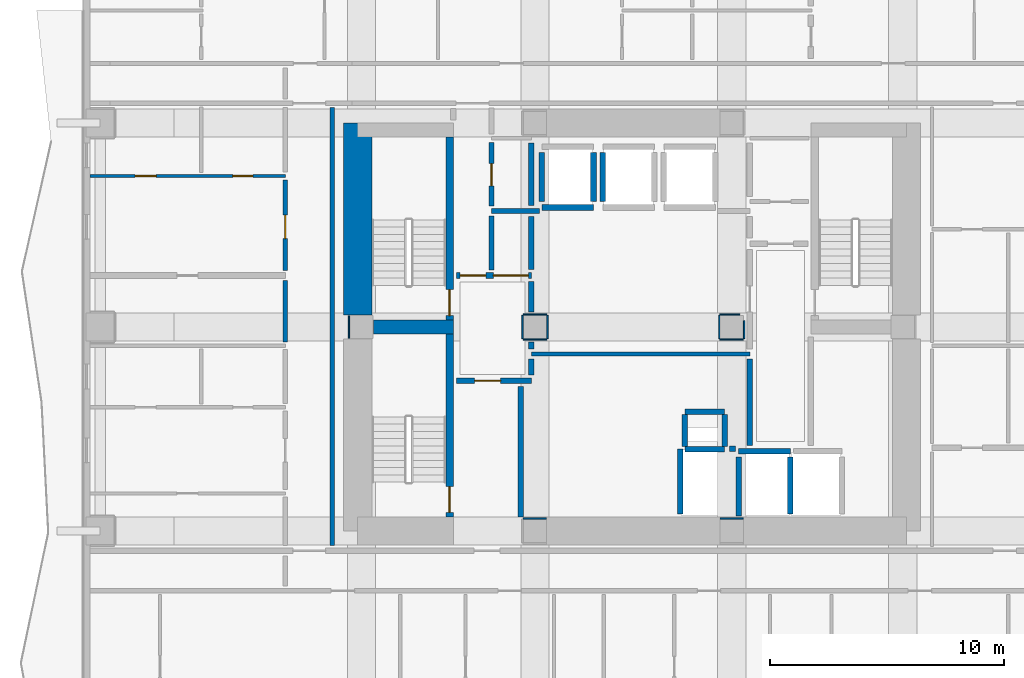
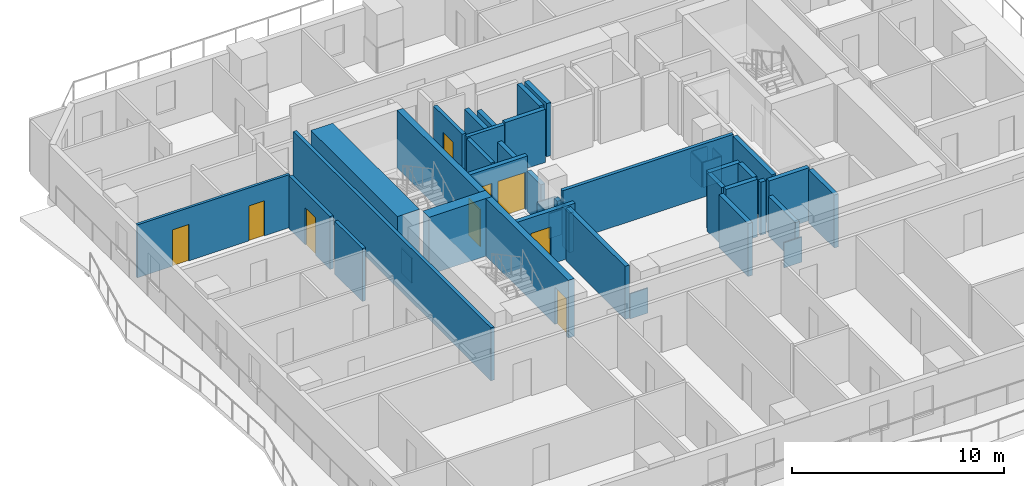
# One storey, part 5 of 13: 45 walls, 9 doors, 9 openings.
"""IFC4 building model written with IfcOpenShell, lengths in metres."""

from ifc_helpers import new_model, si_unit, direction, frame, frame_2d, origin, place, context, subcontext, project, spatial, rectangle, extrude, material, layer, layer_set, type_object, element, fill, save


model = new_model("IFC4")

# Units and contexts
model_context = context("Model", 3, precision=1e-05, world=origin(), true_north=direction((0.0, 1.0)))
body_context = subcontext(model_context, "Body", "Model", "MODEL_VIEW")
ifc_project = project(units=[si_unit("LENGTHUNIT", "METRE"), si_unit("AREAUNIT", "SQUARE_METRE"), si_unit("VOLUMEUNIT", "CUBIC_METRE"), si_unit("PLANEANGLEUNIT", "RADIAN"), si_unit("MASSUNIT", "GRAM", prefix="KILO")], contexts=[model_context])

# Site, building, storey
site_placement = place(None, origin())
site = spatial("IfcSite", under=ifc_project, at=site_placement, CompositionType="ELEMENT")
building_placement = place(site_placement, origin())
building = spatial("IfcBuilding", under=site, at=building_placement, Name="Solanera Arch Residences", CompositionType="ELEMENT")
storey_placement = place(building_placement, frame((0.0, 0.0, 22.0)))
storey = spatial("IfcBuildingStorey", under=building, at=storey_placement, Name="L05", CompositionType="ELEMENT", Elevation=22.0)

# Walls
ifc_material_1 = material(Name="Fire-Rated Gypsum Stud Partition", Category="gypsum")
ifc_layer_1 = layer(ifc_material_1, 0.06005859375)
ifc_layer_set_1 = layer_set([ifc_layer_1], Name="Fire-Rated Gypsum Stud Partition")
wall_type_1 = type_object("IfcWallType", Name="Column Acoustic Furring Wall 60", PredefinedType="PARTITIONING", material=ifc_layer_set_1)
wall_1_placement = place(storey_placement, frame((20.300048828125, 22.531982421875, 0.0), z_axis=(0.0, 0.0, 1.0), x_axis=(1.0, 0.0, 0.0)))
element("IfcWall", 1, at=wall_1_placement, inside=storey, type_object=wall_type_1, Name="L05 Column Furring 1N", PredefinedType="PARTITIONING", context=body_context, shape_type="SweptSolid", body=[
    extrude(rectangle(XDim=0.989990234375, YDim=0.06005859375, at=frame_2d((0.4951171875, 0.0))), origin(), (0.0, 0.0, 1.0), 1.449951171875),
])
for number, where, z_axis, x_axis, name in (
    (2, (28.7099609375, 22.531982421875, 0.0), (0.0, 0.0, 1.0), (1.0, 0.0, 0.0), "L05 Column Furring 2N"),
    (3, (12.867919921875, 30.2099609375, 0.0), (0.0, 0.0, 1.0), (0.0, 1.0, 0.0), "L05 Column Furring 5W"),
):
    element("IfcWall", number, at=place(storey_placement, frame(where, z_axis=z_axis, x_axis=x_axis)), inside=storey, type_object=wall_type_1, Name=name, PredefinedType="PARTITIONING", context=body_context, shape_type="SweptSolid", body=[
        extrude(rectangle(XDim=0.97998046875, YDim=0.06005859375, at=frame_2d((0.489990234375, 0.0))), origin(), (0.0, 0.0, 1.0), 1.449951171875),
    ])
for number, where, z_axis, x_axis, name in (
    (4, (20.300048828125, 30.16796875, 0.0), (0.0, 0.0, 1.0), (1.0, 0.0, 0.0), "L05 Column Furring 7S"),
    (5, (20.300048828125, 31.23193359375, 0.0), (0.0, 0.0, 1.0), (1.0, 0.0, 0.0), "L05 Column Furring 7N"),
    (6, (20.26806640625, 30.199951171875, 0.0), (0.0, 0.0, 1.0), (0.0, 1.0, 0.0), "L05 Column Furring 7W"),
    (7, (21.33203125, 30.199951171875, 0.0), (0.0, 0.0, 1.0), (0.0, 1.0, 0.0), "L05 Column Furring 7E"),
    (8, (28.699951171875, 30.16796875, 0.0), (0.0, 0.0, 1.0), (1.0, 0.0, 0.0), "L05 Column Furring 8S"),
):
    element("IfcWall", number, at=place(storey_placement, frame(where, z_axis=z_axis, x_axis=x_axis)), inside=storey, type_object=wall_type_1, Name=name, PredefinedType="PARTITIONING", context=body_context, shape_type="SweptSolid", body=[
        extrude(rectangle(XDim=1.0, YDim=0.06005859375, at=frame_2d((0.5, 0.0))), origin(), (0.0, 0.0, 1.0), 1.449951171875),
    ])
wall_2_placement = place(storey_placement, frame((28.699951171875, 31.23193359375, 0.0), z_axis=(0.0, 0.0, 1.0), x_axis=(1.0, 0.0, 0.0)))
element("IfcWall", 9, at=wall_2_placement, inside=storey, type_object=wall_type_1, Name="L05 Column Furring 8N", PredefinedType="PARTITIONING", context=body_context, shape_type="SweptSolid", body=[
    extrude(rectangle(XDim=0.841064453125, YDim=0.06005859375, at=frame_2d((0.42041015625, 0.0))), origin(), (0.0, 0.0, 1.0), 1.449951171875),
])
wall_3_placement = place(storey_placement, frame((28.66796875, 30.199951171875, 0.0), z_axis=(0.0, 0.0, 1.0), x_axis=(0.0, 1.0, 0.0)))
element("IfcWall", 10, at=wall_3_placement, inside=storey, type_object=wall_type_1, Name="L05 Column Furring 8W", PredefinedType="PARTITIONING", context=body_context, shape_type="SweptSolid", body=[
    extrude(rectangle(XDim=1.0, YDim=0.06005859375, at=frame_2d((0.5, 0.0))), origin(), (0.0, 0.0, 1.0), 1.449951171875),
])
wall_4_placement = place(storey_placement, frame((29.73193359375, 30.199951171875, 0.0), z_axis=(0.0, 0.0, 1.0), x_axis=(0.0, 1.0, 0.0)))
element("IfcWall", 11, at=wall_4_placement, inside=storey, type_object=wall_type_1, Name="L05 Column Furring 8E", PredefinedType="PARTITIONING", context=body_context, shape_type="SweptSolid", body=[
    extrude(rectangle(XDim=0.77197265625, YDim=0.06005859375, at=frame_2d((0.385986328125, 0.0))), origin(), (0.0, 0.0, 1.0), 1.449951171875),
])
ifc_material_2 = material(Name="Concrete C55/67 (f'c = 60 MPa)", Category="concrete")
ifc_layer_2 = layer(ifc_material_2, 1.199951171875)
ifc_layer_set_2 = layer_set([ifc_layer_2], Name="Concrete C55/67 (f'c = 60 MPa)")
wall_type_2 = type_object("IfcWallType", Name="Core Shear Wall CW-1200", PredefinedType="SHEAR", material=ifc_layer_set_2)
wall_5_placement = place(storey_placement, frame((13.239990234375, 31.205078125, 0.0), z_axis=(0.0, 0.0, 1.0), x_axis=(0.0, 1.0, 0.0)))
element("IfcWall", 12, at=wall_5_placement, inside=storey, type_object=wall_type_2, Name="L05 West Core North Shear Wall", PredefinedType="SHEAR", context=body_context, shape_type="SweptSolid", body=[
    extrude(rectangle(XDim=8.19482421875, YDim=1.199951171875, at=frame_2d((4.097412109375, 0.0))), origin(), (0.0, 0.0, 1.0), 3.320068359375),
])

# Wall, opening, door
ifc_material_3 = material(Name="Concrete C40/50 (f'c = 45 MPa)", Category="concrete")
ifc_layer_3 = layer(ifc_material_3, 0.320068359375)
ifc_layer_set_3 = layer_set([ifc_layer_3], Name="Concrete C40/50 (f'c = 45 MPa)")
wall_type_3 = type_object("IfcWallType", Name="Core Shear Wall CW-320", PredefinedType="SHEAR", material=ifc_layer_set_3)
wall_6_placement = place(storey_placement, frame((17.159912109375, 31.0, 0.0), z_axis=(0.0, 0.0, 1.0), x_axis=(0.0, 1.0, 0.0)))
wall_6 = element("IfcWall", 13, at=wall_6_placement, inside=storey, type_object=wall_type_3, Name="L05 Stair ST-T1 East Shear Wall", PredefinedType="SHEAR", context=body_context, shape_type="SweptSolid", body=[
    extrude(rectangle(XDim=7.800048828125, YDim=0.320068359375, at=frame_2d((3.89990234375, 0.0))), origin(), (0.0, 0.0, 1.0), 3.320068359375),
])
opening_1_placement = place(wall_6_placement, frame((0.18994140625, 0.0, 0.0)))
opening_1 = element("IfcOpeningElement", 14, at=opening_1_placement, cuts=wall_6, Name="Opening DF-01", PredefinedType="OPENING", context=body_context, shape_type="SweptSolid", body=[
    extrude(rectangle(XDim=1.10009765625, YDim=2.14990234375, at=frame_2d((0.550048828125, 1.074951171875))), frame((0.0, 0.169921875, 0.0), z_axis=(0.0, -1.0, 0.0), x_axis=(1.0, 0.0, 0.0)), (0.0, 0.0, 1.0), 0.3401),
])
ifc_material_4 = material(Name="Fire-Rated Architectural Hardwood", Category="wood")
door_type_1 = type_object("IfcDoorType", Name="Stair Exit Fire Door DF-01", OperationType="NOTDEFINED", PredefinedType="DOOR", material=ifc_material_4)
door_1_placement = place(opening_1_placement, origin())
door_1 = element("IfcDoor", 15, at=door_1_placement, inside=storey, type_object=door_type_1, Name="DR-L05-STAIR-ST-T1", OperationType="SINGLE_SWING_RIGHT", OverallHeight=2.14990234375, OverallWidth=1.10009765625, PredefinedType="DOOR", context=body_context, shape_type="SweptSolid", body=[
    extrude(rectangle(XDim=1.10009765625, YDim=2.14990234375, at=frame_2d((0.550048828125, 1.074951171875))), frame((0.0, 0.02490234375, 0.0), z_axis=(0.0, -1.0, 0.0), x_axis=(1.0, 0.0, 0.0)), (0.0, 0.0, 1.0), 0.050048828125),
])
fill(opening_1, door_1)

wall_7_placement = place(storey_placement, frame((17.159912109375, 22.60009765625, 0.0), z_axis=(0.0, 0.0, 1.0), x_axis=(0.0, 1.0, 0.0)))
wall_7 = element("IfcWall", 16, at=wall_7_placement, inside=storey, type_object=wall_type_3, Name="L05 Stair ST-T3 East Shear Wall", PredefinedType="SHEAR", context=body_context, shape_type="SweptSolid", body=[
    extrude(rectangle(XDim=7.7998046875, YDim=0.320068359375, at=frame_2d((3.89990234375, 0.0))), origin(), (0.0, 0.0, 1.0), 3.320068359375),
])
opening_2_placement = place(wall_7_placement, frame((0.18994140625, 0.0, 0.0)))
opening_2 = element("IfcOpeningElement", 17, at=opening_2_placement, cuts=wall_7, Name="Opening DF-01", PredefinedType="OPENING", context=body_context, shape_type="SweptSolid", body=[
    extrude(rectangle(XDim=1.10009765625, YDim=2.14990234375, at=frame_2d((0.550048828125, 1.074951171875))), frame((0.0, 0.169921875, 0.0), z_axis=(0.0, -1.0, 0.0), x_axis=(1.0, 0.0, 0.0)), (0.0, 0.0, 1.0), 0.3401),
])
door_2_placement = place(opening_2_placement, origin())
door_2 = element("IfcDoor", 18, at=door_2_placement, inside=storey, type_object=door_type_1, Name="DR-L05-STAIR-ST-T3", OperationType="SINGLE_SWING_RIGHT", OverallHeight=2.14990234375, OverallWidth=1.10009765625, PredefinedType="DOOR", context=body_context, shape_type="SweptSolid", body=[
    extrude(rectangle(XDim=1.10009765625, YDim=2.14990234375, at=frame_2d((0.550048828125, 1.074951171875))), frame((0.0, 0.02490234375, 0.0), z_axis=(0.0, -1.0, 0.0), x_axis=(1.0, 0.0, 0.0)), (0.0, 0.0, 1.0), 0.050048828125),
])
fill(opening_2, door_2)

# Walls
ifc_material_5 = material(Name="Concrete C40/50 (f'c = 45 MPa)", Category="concrete")
ifc_layer_4 = layer(ifc_material_5, 0.60009765625)
ifc_layer_set_4 = layer_set([ifc_layer_4], Name="Concrete C40/50 (f'c = 45 MPa)")
wall_type_4 = type_object("IfcWallType", Name="Core Shear Wall CW-600", PredefinedType="SHEAR", material=ifc_layer_set_4)
wall_8_placement = place(storey_placement, frame((13.905029296875, 30.699951171875, 0.0), z_axis=(0.0, 0.0, 1.0), x_axis=(1.0, 0.0, 0.0)))
element("IfcWall", 19, at=wall_8_placement, inside=storey, type_object=wall_type_4, Name="L05 West Stair Divider Shear Wall", PredefinedType="SHEAR", context=body_context, shape_type="SweptSolid", body=[
    extrude(rectangle(XDim=3.4150390625, YDim=0.60009765625, at=frame_2d((1.70751953125, 0.0))), origin(), (0.0, 0.0, 1.0), 3.320068359375),
])
ifc_material_6 = material(Name="Autoclaved Aerated Concrete Blockwork", Category="masonry")
ifc_layer_5 = layer(ifc_material_6, 0.179931640625)
ifc_layer_set_5 = layer_set([ifc_layer_5], Name="Autoclaved Aerated Concrete Blockwork")
wall_type_5 = type_object("IfcWallType", Name="Corridor Fire Partition 180", PredefinedType="PARTITIONING", material=ifc_layer_set_5)
wall_9_placement = place(storey_placement, frame((20.64990234375, 29.550048828125, 0.0), z_axis=(0.0, 0.0, 1.0), x_axis=(1.0, 0.0, 0.0)))
element("IfcWall", 20, at=wall_9_placement, inside=storey, type_object=wall_type_5, Name="L05 Interior Partition H10", PredefinedType="PARTITIONING", context=body_context, shape_type="SweptSolid", body=[
    extrude(rectangle(XDim=9.3251953125, YDim=0.179931640625, at=frame_2d((4.66259765625, 0.0))), origin(), (0.0, 0.0, 1.0), 3.06005859375),
])
wall_10_placement = place(storey_placement, frame((10.14990234375, 30.068115234375, 0.0), z_axis=(0.0, 0.0, 1.0), x_axis=(0.0, 1.0, 0.0)))
element("IfcWall", 21, at=wall_10_placement, inside=storey, type_object=wall_type_5, Name="L05 Interior Partition V8 5", PredefinedType="PARTITIONING", context=body_context, shape_type="SweptSolid", body=[
    extrude(rectangle(XDim=2.61376953125, YDim=0.179931640625, at=frame_2d((1.306884765625, 0.0))), origin(), (0.0, 0.0, 1.0), 3.06005859375),
])

# Wall, opening, door
wall_11_placement = place(storey_placement, frame((10.14990234375, 33.117919921875, 0.0), z_axis=(0.0, 0.0, 1.0), x_axis=(0.0, 1.0, 0.0)))
wall_11 = element("IfcWall", 22, at=wall_11_placement, inside=storey, type_object=wall_type_5, Name="L05 Interior Partition V8 6", PredefinedType="PARTITIONING", context=body_context, shape_type="SweptSolid", body=[
    extrude(rectangle(XDim=3.859130859375, YDim=0.179931640625, at=frame_2d((1.9296875, 0.0))), origin(), (0.0, 0.0, 1.0), 3.06005859375),
])
opening_3_placement = place(wall_11_placement, frame((1.35302734375, 0.0, 0.0)))
opening_3 = element("IfcOpeningElement", 23, at=opening_3_placement, cuts=wall_11, Name="Opening DI-01", PredefinedType="OPENING", context=body_context, shape_type="SweptSolid", body=[
    extrude(rectangle(XDim=1.0, YDim=2.14990234375, at=frame_2d((0.5, 1.074951171875))), frame((0.0, 0.10009765625, 0.0), z_axis=(0.0, -1.0, 0.0), x_axis=(1.0, 0.0, 0.0)), (0.0, 0.0, 1.0), 0.1999),
])
ifc_material_7 = material(Name="Fire-Rated Architectural Hardwood", Category="wood")
door_type_2 = type_object("IfcDoorType", Name="Unit Entrance Fire Door DI-01", OperationType="NOTDEFINED", PredefinedType="DOOR", material=ifc_material_7)
door_3_placement = place(opening_3_placement, origin())
door_3 = element("IfcDoor", 24, at=door_3_placement, inside=storey, type_object=door_type_2, Name="DR-L05-IN-046", OperationType="SINGLE_SWING_LEFT", OverallHeight=2.14990234375, OverallWidth=1.0, PredefinedType="DOOR", context=body_context, shape_type="SweptSolid", body=[
    extrude(rectangle(XDim=1.0, YDim=2.14990234375, at=frame_2d((0.5, 1.074951171875))), frame((0.0, 0.02490234375, 0.0), z_axis=(0.0, -1.0, 0.0), x_axis=(1.0, 0.0, 0.0)), (0.0, 0.0, 1.0), 0.050048828125),
])
fill(opening_3, door_3)

# Walls
wall_12_placement = place(storey_placement, frame((12.14990234375, 21.367919921875, 0.0), z_axis=(0.0, 0.0, 1.0), x_axis=(0.0, 1.0, 0.0)))
element("IfcWall", 25, at=wall_12_placement, inside=storey, type_object=wall_type_5, Name="L05 Interior Partition V9", PredefinedType="PARTITIONING", context=body_context, shape_type="SweptSolid", body=[
    extrude(rectangle(XDim=18.694091796875, YDim=0.179931640625, at=frame_2d((9.34716796875, 0.0))), origin(), (0.0, 0.0, 1.0), 3.06005859375),
])
ifc_material_8 = material(Name="Autoclaved Aerated Concrete Blockwork", Category="masonry")
ifc_layer_6 = layer(ifc_material_8, 0.199951171875)
ifc_layer_set_6 = layer_set([ifc_layer_6], Name="Autoclaved Aerated Concrete Blockwork")
wall_type_6 = type_object("IfcWallType", Name="Party Wall Acoustic 200", PredefinedType="PARTITIONING", material=ifc_layer_set_6)
wall_13_placement = place(storey_placement, frame((18.949951171875, 35.64990234375, 0.0), z_axis=(0.0, 0.0, 1.0), x_axis=(1.0, 0.0, 0.0)))
element("IfcWall", 26, at=wall_13_placement, inside=storey, type_object=wall_type_6, Name="L05 Interior Partition H8 1", PredefinedType="PARTITIONING", context=body_context, shape_type="SweptSolid", body=[
    extrude(rectangle(XDim=2.046142578125, YDim=0.199951171875, at=frame_2d((1.02294921875, 0.0))), origin(), (0.0, 0.0, 1.0), 3.06005859375),
])
wall_14_placement = place(storey_placement, frame((18.949951171875, 33.1279296875, 0.0), z_axis=(0.0, 0.0, 1.0), x_axis=(0.0, 1.0, 0.0)))
element("IfcWall", 27, at=wall_14_placement, inside=storey, type_object=wall_type_6, Name="L05 Interior Partition V7 1", PredefinedType="PARTITIONING", context=body_context, shape_type="SweptSolid", body=[
    extrude(rectangle(XDim=2.31396484375, YDim=0.199951171875, at=frame_2d((1.156982421875, 0.0))), origin(), (0.0, 0.0, 1.0), 3.06005859375),
])

# Wall, opening, door
wall_15_placement = place(storey_placement, frame((18.949951171875, 35.85791015625, 0.0), z_axis=(0.0, 0.0, 1.0), x_axis=(0.0, 1.0, 0.0)))
wall_15 = element("IfcWall", 28, at=wall_15_placement, inside=storey, type_object=wall_type_6, Name="L05 Interior Partition V7 2", PredefinedType="PARTITIONING", context=body_context, shape_type="SweptSolid", body=[
    extrude(rectangle(XDim=2.714111328125, YDim=0.199951171875, at=frame_2d((1.35693359375, 0.0))), origin(), (0.0, 0.0, 1.0), 3.06005859375),
])
opening_4_placement = place(wall_15_placement, frame((0.866943359375, 0.0, 0.0)))
opening_4 = element("IfcOpeningElement", 29, at=opening_4_placement, cuts=wall_15, Name="Opening DI-04", PredefinedType="OPENING", context=body_context, shape_type="SweptSolid", body=[
    extrude(rectangle(XDim=0.949951171875, YDim=2.10009765625, at=frame_2d((0.47509765625, 1.050048828125))), frame((0.0, 0.110107421875, 0.0), z_axis=(0.0, -1.0, 0.0), x_axis=(1.0, 0.0, 0.0)), (0.0, 0.0, 1.0), 0.22),
])
ifc_material_9 = material(Name="Fire-Rated Architectural Hardwood", Category="wood")
door_type_3 = type_object("IfcDoorType", Name="Accessible Restroom Door DI-04", OperationType="NOTDEFINED", PredefinedType="DOOR", material=ifc_material_9)
door_4_placement = place(opening_4_placement, origin())
door_4 = element("IfcDoor", 30, at=door_4_placement, inside=storey, type_object=door_type_3, Name="DR-L05-IN-014", OperationType="SINGLE_SWING_LEFT", OverallHeight=2.10009765625, OverallWidth=0.949951171875, PredefinedType="DOOR", context=body_context, shape_type="SweptSolid", body=[
    extrude(rectangle(XDim=0.949951171875, YDim=2.10009765625, at=frame_2d((0.47509765625, 1.050048828125))), frame((0.0, 0.02490234375, 0.0), z_axis=(0.0, -1.0, 0.0), x_axis=(1.0, 0.0, 0.0)), (0.0, 0.0, 1.0), 0.050048828125),
])
fill(opening_4, door_4)

# Walls
ifc_material_10 = material(Name="Concrete C40/50 (f'c = 45 MPa)", Category="concrete")
ifc_layer_7 = layer(ifc_material_10, 0.239990234375)
ifc_layer_set_7 = layer_set([ifc_layer_7], Name="Concrete C40/50 (f'c = 45 MPa)")
wall_type_7 = type_object("IfcWallType", Name="Ramp Bearing Shear Wall RW-240", PredefinedType="SHEAR", material=ifc_layer_set_7)
for number, where, z_axis, x_axis, name in (
    (31, (27.199951171875, 25.47998046875, 0.0), (0.0, 0.0, 1.0), (1.0, 0.0, 0.0), "L05 Core MEP Riser South Shaft Wall"),
    (32, (27.199951171875, 27.080078125, 0.0), (0.0, 0.0, 1.0), (1.0, 0.0, 0.0), "L05 Core MEP Riser North Shaft Wall"),
):
    element("IfcWall", number, at=place(storey_placement, frame(where, z_axis=z_axis, x_axis=x_axis)), inside=storey, type_object=wall_type_7, Name=name, PredefinedType="SHEAR", context=body_context, shape_type="SweptSolid", body=[
        extrude(rectangle(XDim=1.699951171875, YDim=0.239990234375, at=frame_2d((0.85009765625, 0.0))), origin(), (0.0, 0.0, 1.0), 3.320068359375),
    ])
for number, where, z_axis, x_axis, name in (
    (33, (27.199951171875, 25.60009765625, 0.0), (0.0, 0.0, 1.0), (0.0, 1.0, 0.0), "L05 Core MEP Riser West Shaft Wall"),
    (34, (28.89990234375, 25.60009765625, 0.0), (0.0, 0.0, 1.0), (0.0, 1.0, 0.0), "L05 Core MEP Riser East Shaft Wall"),
):
    element("IfcWall", number, at=place(storey_placement, frame(where, z_axis=z_axis, x_axis=x_axis)), inside=storey, type_object=wall_type_7, Name=name, PredefinedType="SHEAR", context=body_context, shape_type="SweptSolid", body=[
        extrude(rectangle(XDim=1.35986328125, YDim=0.239990234375, at=frame_2d((0.679931640625, 0.0))), origin(), (0.0, 0.0, 1.0), 3.320068359375),
    ])
ifc_material_11 = material(Name="Autoclaved Aerated Concrete Blockwork", Category="masonry")
ifc_layer_8 = layer(ifc_material_11, 0.239990234375)
ifc_layer_set_8 = layer_set([ifc_layer_8], Name="Autoclaved Aerated Concrete Blockwork")
wall_type_8 = type_object("IfcWallType", Name="Shaft Wall Fire-Rated 240", PredefinedType="PARTITIONING", material=ifc_layer_set_8)
wall_16_placement = place(storey_placement, frame((21.10009765625, 35.800048828125, 0.0), z_axis=(0.0, 0.0, 1.0), x_axis=(1.0, 0.0, 0.0)))
element("IfcWall", 35, at=wall_16_placement, inside=storey, type_object=wall_type_8, Name="L05 Lift PL-L1 Hoistway Wall S", PredefinedType="PARTITIONING", context=body_context, shape_type="SweptSolid", body=[
    extrude(rectangle(XDim=2.199951171875, YDim=0.239990234375, at=frame_2d((1.10009765625, 0.0))), origin(), (0.0, 0.0, 1.0), 3.06005859375),
])
wall_17_placement = place(storey_placement, frame((21.10009765625, 36.048095703125, 0.0), z_axis=(0.0, 0.0, 1.0), x_axis=(0.0, 1.0, 0.0)))
element("IfcWall", 36, at=wall_17_placement, inside=storey, type_object=wall_type_8, Name="L05 Lift PL-L1 Hoistway Wall W", PredefinedType="PARTITIONING", context=body_context, shape_type="SweptSolid", body=[
    extrude(rectangle(XDim=2.10400390625, YDim=0.239990234375, at=frame_2d((1.052001953125, 0.0))), origin(), (0.0, 0.0, 1.0), 2.294921875),
])
for number, where, z_axis, x_axis, name in (
    (37, (23.300048828125, 36.048095703125, 0.0), (0.0, 0.0, 1.0), (0.0, 1.0, 0.0), "L05 Lift PL-L1 Hoistway Wall E"),
    (38, (23.699951171875, 36.048095703125, 0.0), (0.0, 0.0, 1.0), (0.0, 1.0, 0.0), "L05 Lift PL-L2 Hoistway Wall W"),
):
    element("IfcWall", number, at=place(storey_placement, frame(where, z_axis=z_axis, x_axis=x_axis)), inside=storey, type_object=wall_type_8, Name=name, PredefinedType="PARTITIONING", context=body_context, shape_type="SweptSolid", body=[
        extrude(rectangle(XDim=2.10400390625, YDim=0.239990234375, at=frame_2d((1.052001953125, 0.0))), origin(), (0.0, 0.0, 1.0), 3.06005859375),
    ])
wall_18_placement = place(storey_placement, frame((29.5, 25.39990234375, 0.0), z_axis=(0.0, 0.0, 1.0), x_axis=(1.0, 0.0, 0.0)))
element("IfcWall", 39, at=wall_18_placement, inside=storey, type_object=wall_type_8, Name="L05 Lift FFL-1 Hoistway Wall N", PredefinedType="PARTITIONING", context=body_context, shape_type="SweptSolid", body=[
    extrude(rectangle(XDim=2.199951171875, YDim=0.239990234375, at=frame_2d((1.10009765625, 0.0))), origin(), (0.0, 0.0, 1.0), 3.06005859375),
])
wall_19_placement = place(storey_placement, frame((29.5, 22.632080078125, 0.0), z_axis=(0.0, 0.0, 1.0), x_axis=(0.0, 1.0, 0.0)))
element("IfcWall", 40, at=wall_19_placement, inside=storey, type_object=wall_type_8, Name="L05 Lift FFL-1 Hoistway Wall W", PredefinedType="PARTITIONING", context=body_context, shape_type="SweptSolid", body=[
    extrude(rectangle(XDim=2.52001953125, YDim=0.239990234375, at=frame_2d((1.260009765625, 0.0))), origin(), (0.0, 0.0, 1.0), 2.294921875),
])
wall_20_placement = place(storey_placement, frame((31.699951171875, 22.72998046875, 0.0), z_axis=(0.0, 0.0, 1.0), x_axis=(0.0, 1.0, 0.0)))
element("IfcWall", 41, at=wall_20_placement, inside=storey, type_object=wall_type_8, Name="L05 Lift FFL-1 Hoistway Wall E", PredefinedType="PARTITIONING", context=body_context, shape_type="SweptSolid", body=[
    extrude(rectangle(XDim=2.422119140625, YDim=0.239990234375, at=frame_2d((1.2109375, 0.0))), origin(), (0.0, 0.0, 1.0), 3.06005859375),
])
wall_21_placement = place(storey_placement, frame((29.10302734375, 25.5, 0.0), z_axis=(0.0, 0.0, 1.0), x_axis=(1.0, 0.0, 0.0)))
element("IfcWall", 42, at=wall_21_placement, inside=storey, type_object=wall_type_8, Name="L05 Lift SVL-1 Hoistway Wall N", PredefinedType="PARTITIONING", context=body_context, shape_type="SweptSolid", body=[
    extrude(rectangle(XDim=0.26904296875, YDim=0.239990234375, at=frame_2d((0.134521484375, 0.0))), origin(), (0.0, 0.0, 1.0), 3.06005859375),
])
wall_22_placement = place(storey_placement, frame((27.0, 22.72998046875, 0.0), z_axis=(0.0, 0.0, 1.0), x_axis=(0.0, 1.0, 0.0)))
element("IfcWall", 43, at=wall_22_placement, inside=storey, type_object=wall_type_8, Name="L05 Lift SVL-1 Hoistway Wall W", PredefinedType="PARTITIONING", context=body_context, shape_type="SweptSolid", body=[
    extrude(rectangle(XDim=2.76806640625, YDim=0.239990234375, at=frame_2d((1.384033203125, 0.0))), origin(), (0.0, 0.0, 1.0), 3.06005859375),
])

# Wall, opening, door
wall_23_placement = place(storey_placement, frame((17.449951171875, 28.39990234375, 0.0), z_axis=(0.0, 0.0, 1.0), x_axis=(1.0, 0.0, 0.0)))
wall_23 = element("IfcWall", 44, at=wall_23_placement, inside=storey, type_object=wall_type_8, Name="L05 Interior Partition H4", PredefinedType="PARTITIONING", context=body_context, shape_type="SweptSolid", body=[
    extrude(rectangle(XDim=3.199951171875, YDim=0.239990234375, at=frame_2d((1.60009765625, 0.0))), origin(), (0.0, 0.0, 1.0), 3.06005859375),
])
opening_5_placement = place(wall_23_placement, frame((0.783935546875, 0.0, 0.0)))
opening_5 = element("IfcOpeningElement", 45, at=opening_5_placement, cuts=wall_23, Name="Opening DF-02", PredefinedType="OPENING", context=body_context, shape_type="SweptSolid", body=[
    extrude(rectangle(XDim=1.10009765625, YDim=2.14990234375, at=frame_2d((0.550048828125, 1.074951171875))), frame((0.0, 0.1298828125, 0.0), z_axis=(0.0, -1.0, 0.0), x_axis=(1.0, 0.0, 0.0)), (0.0, 0.0, 1.0), 0.26),
])
ifc_material_12 = material(Name="Fire-Rated Architectural Hardwood", Category="wood")
door_type_4 = type_object("IfcDoorType", Name="Firefighting Lobby Fire Door DF-02", OperationType="NOTDEFINED", PredefinedType="DOOR", material=ifc_material_12)
door_5_placement = place(opening_5_placement, origin())
door_5 = element("IfcDoor", 46, at=door_5_placement, inside=storey, type_object=door_type_4, Name="DR-L05-IN-004", OperationType="SINGLE_SWING_LEFT", OverallHeight=2.14990234375, OverallWidth=1.10009765625, PredefinedType="DOOR", context=body_context, shape_type="SweptSolid", body=[
    extrude(rectangle(XDim=1.10009765625, YDim=2.14990234375, at=frame_2d((0.550048828125, 1.074951171875))), frame((0.0, 0.02490234375, 0.0), z_axis=(0.0, -1.0, 0.0), x_axis=(1.0, 0.0, 0.0)), (0.0, 0.0, 1.0), 0.050048828125),
])
fill(opening_5, door_5)

# Wall, openings, doors
wall_24_placement = place(storey_placement, frame((17.449951171875, 32.89990234375, 0.0), z_axis=(0.0, 0.0, 1.0), x_axis=(1.0, 0.0, 0.0)))
wall_24 = element("IfcWall", 47, at=wall_24_placement, inside=storey, type_object=wall_type_8, Name="L05 Interior Partition H6", PredefinedType="PARTITIONING", context=body_context, shape_type="SweptSolid", body=[
    extrude(rectangle(XDim=3.199951171875, YDim=0.239990234375, at=frame_2d((1.60009765625, 0.0))), origin(), (0.0, 0.0, 1.0), 3.06005859375),
])
opening_6_placement = place(wall_24_placement, frame((0.158935546875, 0.0, 0.0)))
opening_6 = element("IfcOpeningElement", 48, at=opening_6_placement, cuts=wall_24, Name="Opening DF-02", PredefinedType="OPENING", context=body_context, shape_type="SweptSolid", body=[
    extrude(rectangle(XDim=1.10009765625, YDim=2.14990234375, at=frame_2d((0.550048828125, 1.074951171875))), frame((0.0, 0.1298828125, 0.0), z_axis=(0.0, -1.0, 0.0), x_axis=(1.0, 0.0, 0.0)), (0.0, 0.0, 1.0), 0.26),
])
opening_7_placement = place(wall_24_placement, frame((1.575927734375, 0.0, 0.0)))
opening_7 = element("IfcOpeningElement", 49, at=opening_7_placement, cuts=wall_24, Name="Opening DP-01", PredefinedType="OPENING", context=body_context, shape_type="SweptSolid", body=[
    extrude(rectangle(XDim=1.5, YDim=2.14990234375, at=frame_2d((0.75, 1.074951171875))), frame((0.0, 0.1298828125, 0.0), z_axis=(0.0, -1.0, 0.0), x_axis=(1.0, 0.0, 0.0)), (0.0, 0.0, 1.0), 0.26),
])
door_6_placement = place(opening_6_placement, origin())
door_6 = element("IfcDoor", 50, at=door_6_placement, inside=storey, type_object=door_type_4, Name="DR-L05-IN-005", OperationType="SINGLE_SWING_RIGHT", OverallHeight=2.14990234375, OverallWidth=1.10009765625, PredefinedType="DOOR", context=body_context, shape_type="SweptSolid", body=[
    extrude(rectangle(XDim=1.10009765625, YDim=2.14990234375, at=frame_2d((0.550048828125, 1.074951171875))), frame((0.0, 0.02490234375, 0.0), z_axis=(0.0, -1.0, 0.0), x_axis=(1.0, 0.0, 0.0)), (0.0, 0.0, 1.0), 0.050048828125),
])
fill(opening_6, door_6)
ifc_material_13 = material(Name="Fire-Rated Architectural Hardwood", Category="wood")
door_type_5 = type_object("IfcDoorType", Name="Plant Double Fire Door DP-01", OperationType="NOTDEFINED", PredefinedType="DOOR", material=ifc_material_13)
door_7_placement = place(opening_7_placement, origin())
door_7 = element("IfcDoor", 51, at=door_7_placement, inside=storey, type_object=door_type_5, Name="DR-L05-IN-012", OperationType="SINGLE_SWING_LEFT", OverallHeight=2.14990234375, OverallWidth=1.5, PredefinedType="DOOR", context=body_context, shape_type="SweptSolid", body=[
    extrude(rectangle(XDim=1.5, YDim=2.14990234375, at=frame_2d((0.75, 1.074951171875))), frame((0.0, 0.02490234375, 0.0), z_axis=(0.0, -1.0, 0.0), x_axis=(1.0, 0.0, 0.0)), (0.0, 0.0, 1.0), 0.050048828125),
])
fill(opening_7, door_7)

# Walls
wall_25_placement = place(storey_placement, frame((20.199951171875, 22.5859375, 0.0), z_axis=(0.0, 0.0, 1.0), x_axis=(0.0, 1.0, 0.0)))
element("IfcWall", 52, at=wall_25_placement, inside=storey, type_object=wall_type_8, Name="L05 Interior Partition V2", PredefinedType="PARTITIONING", context=body_context, shape_type="SweptSolid", body=[
    extrude(rectangle(XDim=5.566162109375, YDim=0.239990234375, at=frame_2d((2.783203125, 0.0))), origin(), (0.0, 0.0, 1.0), 3.06005859375),
])
wall_26_placement = place(storey_placement, frame((20.64990234375, 28.64794921875, 0.0), z_axis=(0.0, 0.0, 1.0), x_axis=(0.0, 1.0, 0.0)))
element("IfcWall", 53, at=wall_26_placement, inside=storey, type_object=wall_type_8, Name="L05 Interior Partition V3 1", PredefinedType="PARTITIONING", context=body_context, shape_type="SweptSolid", body=[
    extrude(rectangle(XDim=0.68408203125, YDim=0.239990234375, at=frame_2d((0.342041015625, 0.0))), origin(), (0.0, 0.0, 1.0), 2.294921875),
])
wall_27_placement = place(storey_placement, frame((20.64990234375, 29.76806640625, 0.0), z_axis=(0.0, 0.0, 1.0), x_axis=(0.0, 1.0, 0.0)))
element("IfcWall", 54, at=wall_27_placement, inside=storey, type_object=wall_type_8, Name="L05 Interior Partition V3 2", PredefinedType="PARTITIONING", context=body_context, shape_type="SweptSolid", body=[
    extrude(rectangle(XDim=0.300048828125, YDim=0.239990234375, at=frame_2d((0.14990234375, 0.0))), origin(), (0.0, 0.0, 1.0), 2.294921875),
])
wall_28_placement = place(storey_placement, frame((20.64990234375, 31.33203125, 0.0), z_axis=(0.0, 0.0, 1.0), x_axis=(0.0, 1.0, 0.0)))
element("IfcWall", 55, at=wall_28_placement, inside=storey, type_object=wall_type_8, Name="L05 Interior Partition V3 3", PredefinedType="PARTITIONING", context=body_context, shape_type="SweptSolid", body=[
    extrude(rectangle(XDim=1.320068359375, YDim=0.239990234375, at=frame_2d((0.66015625, 0.0))), origin(), (0.0, 0.0, 1.0), 2.294921875),
])
wall_29_placement = place(storey_placement, frame((20.64990234375, 33.14794921875, 0.0), z_axis=(0.0, 0.0, 1.0), x_axis=(0.0, 1.0, 0.0)))
element("IfcWall", 56, at=wall_29_placement, inside=storey, type_object=wall_type_8, Name="L05 Interior Partition V3 4", PredefinedType="PARTITIONING", context=body_context, shape_type="SweptSolid", body=[
    extrude(rectangle(XDim=2.274169921875, YDim=0.239990234375, at=frame_2d((1.13720703125, 0.0))), origin(), (0.0, 0.0, 1.0), 2.294921875),
])
wall_30_placement = place(storey_placement, frame((20.64990234375, 35.8779296875, 0.0), z_axis=(0.0, 0.0, 1.0), x_axis=(0.0, 1.0, 0.0)))
element("IfcWall", 57, at=wall_30_placement, inside=storey, type_object=wall_type_8, Name="L05 Interior Partition V3 5", PredefinedType="PARTITIONING", context=body_context, shape_type="SweptSolid", body=[
    extrude(rectangle(XDim=2.674072265625, YDim=0.239990234375, at=frame_2d((1.3369140625, 0.0))), origin(), (0.0, 0.0, 1.0), 2.294921875),
])
wall_31_placement = place(storey_placement, frame((29.97509765625, 25.64794921875, 0.0), z_axis=(0.0, 0.0, 1.0), x_axis=(0.0, 1.0, 0.0)))
element("IfcWall", 58, at=wall_31_placement, inside=storey, type_object=wall_type_8, Name="L05 Interior Partition V4 1", PredefinedType="PARTITIONING", context=body_context, shape_type="SweptSolid", body=[
    extrude(rectangle(XDim=3.68408203125, YDim=0.239990234375, at=frame_2d((1.842041015625, 0.0))), origin(), (0.0, 0.0, 1.0), 3.06005859375),
])

# Wall, openings, doors
ifc_material_14 = material(Name="Autoclaved Aerated Concrete Blockwork", Category="masonry")
ifc_layer_9 = layer(ifc_material_14, 0.139892578125)
ifc_layer_set_9 = layer_set([ifc_layer_9], Name="Autoclaved Aerated Concrete Blockwork")
wall_type_9 = type_object("IfcWallType", Name="Wet-Room Partition 140", PredefinedType="PARTITIONING", material=ifc_layer_set_9)
wall_32_placement = place(storey_placement, frame((1.826904296875, 37.14501953125, 0.0), z_axis=(0.0, 0.0, 1.0), x_axis=(1.0, 0.0, 0.0)))
wall_32 = element("IfcWall", 59, at=wall_32_placement, inside=storey, type_object=wall_type_9, Name="L05 Interior Partition H22", PredefinedType="PARTITIONING", context=body_context, shape_type="SweptSolid", body=[
    extrude(rectangle(XDim=8.322998046875, YDim=0.139892578125, at=frame_2d((4.16162109375, 0.0))), origin(), (0.0, 0.0, 1.0), 3.06005859375),
])
opening_8_placement = place(wall_32_placement, frame((6.0849609375, 0.0, 0.0)))
opening_8 = element("IfcOpeningElement", 60, at=opening_8_placement, cuts=wall_32, Name="Opening DI-05", PredefinedType="OPENING", context=body_context, shape_type="SweptSolid", body=[
    extrude(rectangle(XDim=0.860107421875, YDim=2.02001953125, at=frame_2d((0.43017578125, 1.010009765625))), frame((0.0, 0.079833984375, 0.0), z_axis=(0.0, -1.0, 0.0), x_axis=(1.0, 0.0, 0.0)), (0.0, 0.0, 1.0), 0.1599),
])
opening_9_placement = place(wall_32_placement, frame((1.9150390625, 0.0, 0.0)))
opening_9 = element("IfcOpeningElement", 61, at=opening_9_placement, cuts=wall_32, Name="Opening DI-03", PredefinedType="OPENING", context=body_context, shape_type="SweptSolid", body=[
    extrude(rectangle(XDim=0.89990234375, YDim=2.10009765625, at=frame_2d((0.449951171875, 1.050048828125))), frame((0.0, 0.079833984375, 0.0), z_axis=(0.0, -1.0, 0.0), x_axis=(1.0, 0.0, 0.0)), (0.0, 0.0, 1.0), 0.1599),
])
ifc_material_15 = material(Name="Fire-Rated Architectural Hardwood", Category="wood")
door_type_6 = type_object("IfcDoorType", Name="Bathroom Swing Door DI-05", OperationType="NOTDEFINED", PredefinedType="DOOR", material=ifc_material_15)
door_8_placement = place(opening_8_placement, origin())
door_8 = element("IfcDoor", 62, at=door_8_placement, inside=storey, type_object=door_type_6, Name="DR-L05-IN-048", OperationType="SINGLE_SWING_LEFT", OverallHeight=2.02001953125, OverallWidth=0.860107421875, PredefinedType="DOOR", context=body_context, shape_type="SweptSolid", body=[
    extrude(rectangle(XDim=0.860107421875, YDim=2.02001953125, at=frame_2d((0.43017578125, 1.010009765625))), frame((0.0, 0.02490234375, 0.0), z_axis=(0.0, -1.0, 0.0), x_axis=(1.0, 0.0, 0.0)), (0.0, 0.0, 1.0), 0.050048828125),
])
fill(opening_8, door_8)
ifc_material_16 = material(Name="Fire-Rated Architectural Hardwood", Category="wood")
door_type_7 = type_object("IfcDoorType", Name="Bedroom Swing Door DI-03", OperationType="NOTDEFINED", PredefinedType="DOOR", material=ifc_material_16)
door_9_placement = place(opening_9_placement, origin())
door_9 = element("IfcDoor", 63, at=door_9_placement, inside=storey, type_object=door_type_7, Name="DR-L05-IN-049", OperationType="SINGLE_SWING_RIGHT", OverallHeight=2.10009765625, OverallWidth=0.89990234375, PredefinedType="DOOR", context=body_context, shape_type="SweptSolid", body=[
    extrude(rectangle(XDim=0.89990234375, YDim=2.10009765625, at=frame_2d((0.449951171875, 1.050048828125))), frame((0.0, 0.02490234375, 0.0), z_axis=(0.0, -1.0, 0.0), x_axis=(1.0, 0.0, 0.0)), (0.0, 0.0, 1.0), 0.050048828125),
])
fill(opening_9, door_9)

save(model, "model.ifc")
